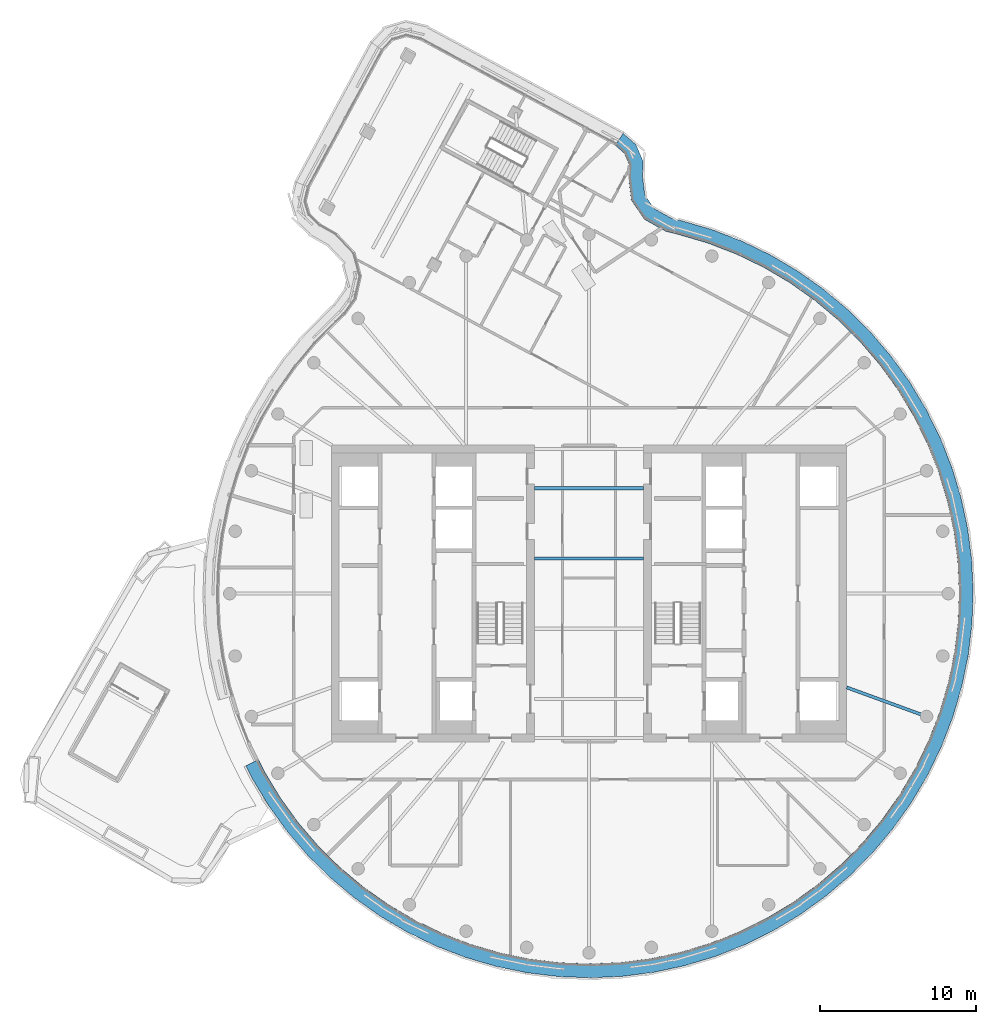
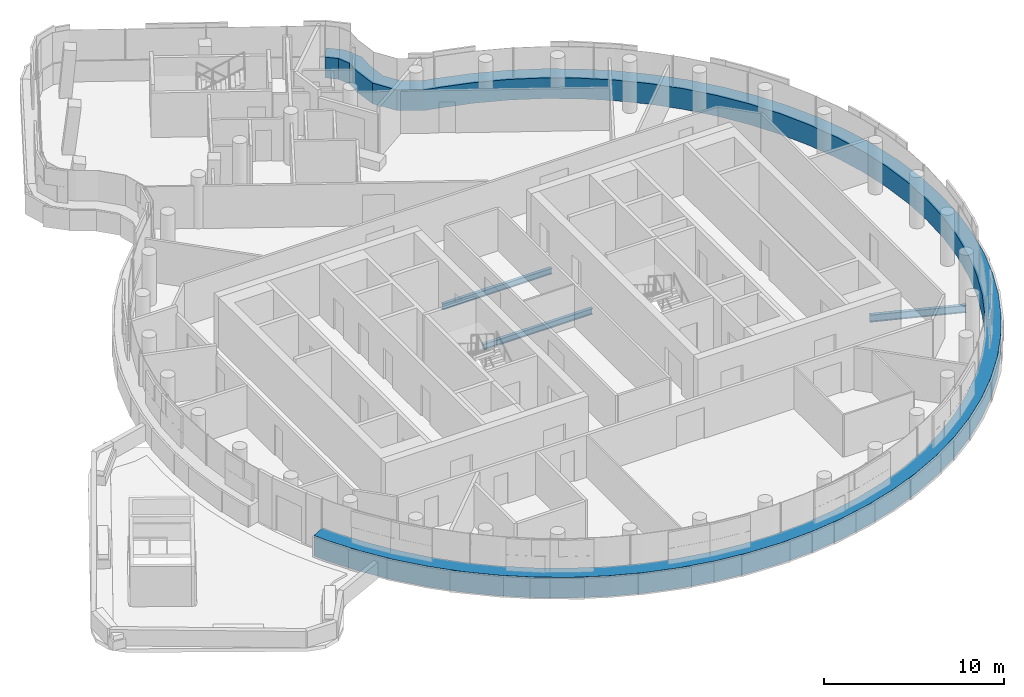
# One storey, part 5 of 22: 3 beams, 1 member, 1 element without a shape of its own.
"""IFC4 building model written with IfcOpenShell, lengths in metres."""

from ifc_helpers import new_model, si_unit, direction, frame, origin, origin_2d, place, context, subcontext, project, spatial, polyline, i_section, outline, extrude, material, layer, layer_set, material_profile, profile_set, type_object, element, aggregate, save


model = new_model("IFC4")

# Units and contexts
model_context = context("Model", 3, precision=1e-05, world=origin(), true_north=direction((0.0, 1.0)))
body_context = subcontext(model_context, "Body", "Model", "MODEL_VIEW")
ifc_project = project(units=[si_unit("LENGTHUNIT", "METRE"), si_unit("AREAUNIT", "SQUARE_METRE"), si_unit("VOLUMEUNIT", "CUBIC_METRE"), si_unit("PLANEANGLEUNIT", "RADIAN"), si_unit("MASSUNIT", "GRAM", prefix="KILO")], contexts=[model_context])

# Site, building, storey
site_placement = place(None, origin())
site = spatial("IfcSite", under=ifc_project, at=site_placement, CompositionType="ELEMENT")
building_placement = place(site_placement, origin())
building = spatial("IfcBuilding", under=site, at=building_placement, Name="Tamarind Cross Interchange Tower", CompositionType="ELEMENT")
storey_placement = place(building_placement, frame((0.0, 0.0, 256.800048828125)))
storey = spatial("IfcBuildingStorey", under=building, at=storey_placement, Name="L65", CompositionType="ELEMENT", Elevation=256.800048828125)

# Beams
ifc_material_1 = material(Name="Steel Q355B", Category="steel")
ifc_material_profile_1 = material_profile(ifc_material_1, i_section(OverallWidth=0.199951171875, OverallDepth=0.39990234375, WebThickness=0.008056640625, FlangeThickness=0.012939453125, FilletRadius=0.01611328125, at=origin_2d()), Name="HN 400x200x8x13")
ifc_profile_set_1 = profile_set([ifc_material_profile_1], Name="Steel Q355B")
beam_type_1 = type_object("IfcBeamType", Name="Composite beam HN 400x200x8x13 Q355B", PredefinedType="BEAM", material=ifc_profile_set_1)
for number, where, z_axis, x_axis, name in (
    (1, (-3.5, 2.25, -0.340087890625), (1.0, 0.0, 0.0), (0.0, 1.0, 0.0), "Beam G2.25"),
    (2, (-3.5, 6.75, -0.340087890625), (1.0, 0.0, 0.0), (0.0, 1.0, 0.0), "Beam G6.75"),
):
    element("IfcBeam", number, at=place(storey_placement, frame(where, z_axis=z_axis, x_axis=x_axis)), inside=storey, type_object=beam_type_1, Name=name, PredefinedType="BEAM", context=body_context, shape_type="SweptSolid", body=[
        extrude(i_section(OverallWidth=0.199951171875, OverallDepth=0.39990234375, WebThickness=0.008056640625, FlangeThickness=0.012939453125, FilletRadius=0.01611328125, at=origin_2d()), origin(), (0.0, 0.0, 1.0), 7.0),
    ])
ifc_material_profile_2 = material_profile(ifc_material_1, i_section(OverallWidth=0.198974609375, OverallDepth=0.49609375, WebThickness=0.009033203125, FlangeThickness=0.013916015625, FilletRadius=0.012939453125, at=origin_2d()), Name="HN 496x199x9x14")
ifc_profile_set_2 = profile_set([ifc_material_profile_2], Name="Steel Q355B")
beam_type_2 = type_object("IfcBeamType", Name="Composite beam HN 496x199x9x14 Q355B", PredefinedType="BEAM", material=ifc_profile_set_2)
beam_placement = place(storey_placement, frame((21.613037109375, -7.866455078125, -0.387939453125), z_axis=(-0.939701685589, 0.341995236956, 0.0), x_axis=(-0.341995236956, -0.939701685589, 0.0)))
element("IfcBeam", 3, at=beam_placement, inside=storey, type_object=beam_type_2, Name="Beam HH34", PredefinedType="BEAM", context=body_context, shape_type="SweptSolid", body=[
    extrude(i_section(OverallWidth=0.198974609375, OverallDepth=0.49609375, WebThickness=0.009033203125, FlangeThickness=0.013916015625, FilletRadius=0.012939453125, at=origin_2d()), origin(), (0.0, 0.0, 1.0), 5.441162109375),
])

# Curtain wall, member
ifc_material_2 = material(Name="Aluminium 6063-T6", Category="aluminium")
ifc_layer = layer(ifc_material_2, 0.14990234375)
ifc_layer_set = layer_set([ifc_layer], Name="Aluminium 6063-T6")
curtain_wall_type = type_object("IfcCurtainWallType", Name="Winter garden and crown curtain wall", PredefinedType="NOTDEFINED", material=ifc_layer_set)
curtain_wall_placement = place(storey_placement, origin())
curtain_wall = element("IfcCurtainWall", 4, at=curtain_wall_placement, inside=storey, type_object=curtain_wall_type, Name="CWS-L65-01", PredefinedType="NOTDEFINED")
ifc_material_3 = material(Name="Aluminium and insulated spandrel panel", Category="aluminium")
member_type = type_object("IfcMemberType", Name="Floor-edge blade transom", PredefinedType="USERDEFINED", material=ifc_material_3)
member_placement = place(storey_placement, origin())
member = element("IfcMember", 5, at=member_placement, type_object=member_type, Name="CWT-L65-01-1", ObjectType="TRANSOM", PredefinedType="USERDEFINED", context=body_context, shape_type="SweptSolid", body=[
    extrude(outline(polyline([(-21.16162109375, -10.617431640625), (-20.791015625, -11.367431640625), (-19.78125, -13.045654296875), (-18.636474609375, -14.634521484375), (-17.3642578125, -16.12353515625), (-15.973388671875, -17.50244140625), (-14.4736328125, -18.76171875), (-12.874755859375, -19.892822265625), (-11.188232421875, -20.88818359375), (-9.425048828125, -21.74072265625), (-7.597412109375, -22.444580078125), (-5.718017578125, -22.995361328125), (-3.799560546875, -23.38916015625), (-1.855224609375, -23.623046875), (0.10205078125, -23.695556640625), (2.058349609375, -23.606201171875), (4.000732421875, -23.35546875), (5.915771484375, -22.9453125), (7.790283203125, -22.37841796875), (9.61181640625, -21.65869140625), (11.367431640625, -20.791015625), (13.045654296875, -19.78125), (14.634521484375, -18.636474609375), (16.12353515625, -17.3642578125), (17.50244140625, -15.973388671875), (18.76171875, -14.4736328125), (19.892822265625, -12.874755859375), (20.88818359375, -11.188232421875), (21.74072265625, -9.425048828125), (22.444580078125, -7.597412109375), (22.995361328125, -5.718017578125), (23.38916015625, -3.799560546875), (23.623046875, -1.855224609375), (23.695556640625, 0.10205078125), (23.606201171875, 2.058349609375), (23.35546875, 4.000732421875), (22.9453125, 5.915771484375), (22.37841796875, 7.790283203125), (21.65869140625, 9.61181640625), (20.791015625, 11.367431640625), (19.78125, 13.045654296875), (18.636474609375, 14.634521484375), (17.3642578125, 16.12353515625), (15.973388671875, 17.50244140625), (14.4736328125, 18.76171875), (12.874755859375, 19.892822265625), (11.188232421875, 20.88818359375), (9.425048828125, 21.74072265625), (7.597412109375, 22.444580078125), (5.71240234375, 22.9970703125), (4.92919921875, 23.18994140625), (3.541259765625, 23.966064453125), (2.704345703125, 25.216064453125), (2.524169921875, 26.667724609375), (2.557373046875, 27.508544921875), (2.26123046875, 28.1962890625), (1.67138671875, 28.71142578125), (2.1875, 29.45556640625), (3.007080078125, 28.73974609375), (3.46484375, 27.677001953125), (3.426513671875, 26.705810546875), (3.571044921875, 25.5390625), (4.1689453125, 24.646240234375), (5.262451171875, 24.03466796875), (5.946533203125, 23.8662109375), (7.88623046875, 23.2978515625), (9.783203125, 22.567138671875), (11.613525390625, 21.68212890625), (13.3642578125, 20.64892578125), (15.023681640625, 19.474853515625), (16.580810546875, 18.167724609375), (18.0244140625, 16.736572265625), (19.344970703125, 15.19091796875), (20.533203125, 13.54150390625), (21.581298828125, 11.799560546875), (22.482177734375, 9.97705078125), (23.229248046875, 8.08642578125), (23.817626953125, 6.140625), (24.243408203125, 4.15283203125), (24.50341796875, 2.13671875), (24.59619140625, 0.10595703125), (24.52099609375, -1.925537109375), (24.2783203125, -3.944091796875), (23.86962890625, -5.935302734375), (23.2978515625, -7.88623046875), (22.567138671875, -9.783203125), (21.68212890625, -11.613525390625), (20.64892578125, -13.3642578125), (19.474853515625, -15.023681640625), (18.167724609375, -16.580810546875), (16.736572265625, -18.0244140625), (15.19091796875, -19.344970703125), (13.54150390625, -20.533203125), (11.799560546875, -21.581298828125), (9.97705078125, -22.482177734375), (8.08642578125, -23.229248046875), (6.140625, -23.817626953125), (4.15283203125, -24.243408203125), (2.13671875, -24.50341796875), (0.10595703125, -24.59619140625), (-1.925537109375, -24.52099609375), (-3.944091796875, -24.2783203125), (-5.935302734375, -23.86962890625), (-7.88623046875, -23.2978515625), (-9.783203125, -22.567138671875), (-11.613525390625, -21.68212890625), (-13.3642578125, -20.64892578125), (-15.023681640625, -19.474853515625), (-16.580810546875, -18.167724609375), (-18.0244140625, -16.736572265625), (-19.344970703125, -15.19091796875), (-20.533203125, -13.54150390625), (-21.581298828125, -11.799560546875), (-21.966064453125, -11.02099609375), (-21.16162109375, -10.617431640625)])), origin(), (0.0, 0.0, 1.0), 1.39990234375),
])
aggregate(curtain_wall, [member])

save(model, "model.ifc")
